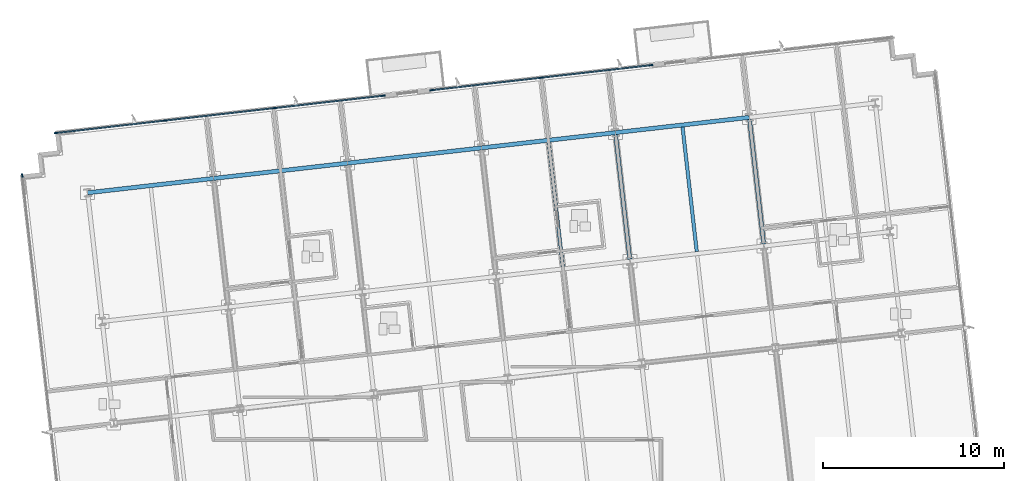
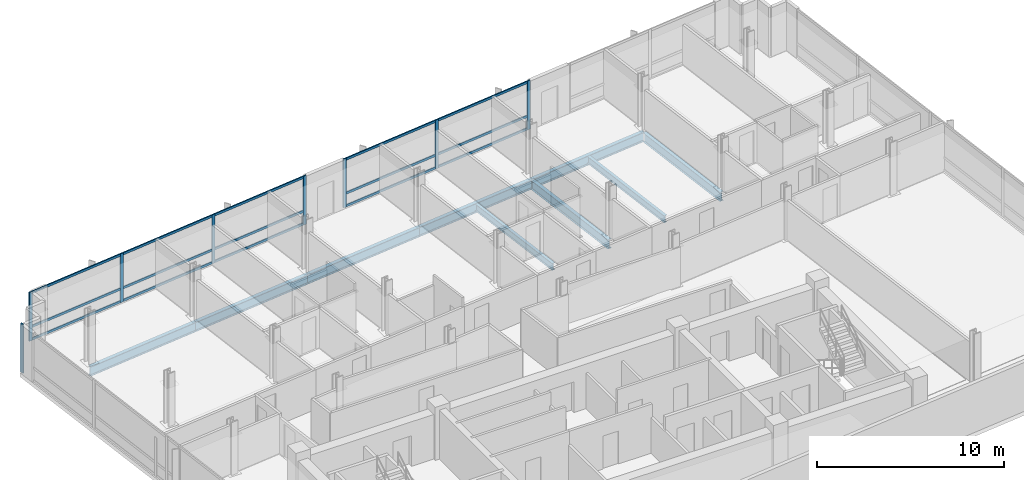
# One storey, part 5 of 16: 23 members, 9 beams, 3 elements without a shape of their own.
"""IFC4 building model written with IfcOpenShell, lengths in metres."""

from ifc_helpers import new_model, si_unit, direction, frame, origin, origin_2d, place, context, subcontext, project, spatial, rectangle, i_section, extrude, material, material_profile, profile_set, type_object, element, aggregate, save


model = new_model("IFC4")

# Units and contexts
model_context = context("Model", 3, precision=1e-05, world=origin(), true_north=direction((0.0, 1.0)))
body_context = subcontext(model_context, "Body", "Model", "MODEL_VIEW")
ifc_project = project(units=[si_unit("LENGTHUNIT", "METRE"), si_unit("AREAUNIT", "SQUARE_METRE"), si_unit("VOLUMEUNIT", "CUBIC_METRE"), si_unit("PLANEANGLEUNIT", "RADIAN"), si_unit("MASSUNIT", "GRAM", prefix="KILO")], contexts=[model_context])

# Site, building, storey
site_placement = place(None, origin())
site = spatial("IfcSite", under=ifc_project, at=site_placement, CompositionType="ELEMENT")
building_placement = place(site_placement, origin())
building = spatial("IfcBuilding", under=site, at=building_placement, Name="Solmavex Isthmus Hotel", CompositionType="ELEMENT")
storey_placement = place(building_placement, frame((0.0, 0.0, 208.949951171875)))
storey = spatial("IfcBuildingStorey", under=building, at=storey_placement, Name="L56", CompositionType="ELEMENT", Elevation=208.949951171875)

# Beams
ifc_material_1 = material(Name="Steel ASTM A992 Grade 50", Category="steel")
ifc_material_profile_1 = material_profile(ifc_material_1, i_section(OverallWidth=0.1904296875, OverallDepth=0.456787109375, WebThickness=0.009033203125, FlangeThickness=0.014404296875, FilletRadius=0.0126953125, at=origin_2d()), Name="W18X50")
ifc_profile_set_1 = profile_set([ifc_material_profile_1], Name="Steel ASTM A992 Grade 50")
beam_type_1 = type_object("IfcBeamType", Name="BM-BJ-W18X50", PredefinedType="JOIST", material=ifc_profile_set_1)
for number, where, z_axis, x_axis, name in (
    (1, (7.009033203125, 10.1328125, -0.48828125), (-0.113202453846, 0.993571942258, 0.0), (-0.993571942258, -0.113202453846, 0.0), "Secondary Floor Joist L56-J14"),
    (2, (14.4072265625, 10.975830078125, -0.48828125), (-0.113202453846, 0.993571942258, 0.0), (-0.993571942258, -0.113202453846, 0.0), "Secondary Floor Joist L56-J18"),
):
    element("IfcBeam", number, at=place(storey_placement, frame(where, z_axis=z_axis, x_axis=x_axis)), inside=storey, type_object=beam_type_1, Name=name, PredefinedType="JOIST", context=body_context, shape_type="SweptSolid", body=[
        extrude(i_section(OverallWidth=0.1904296875, OverallDepth=0.456787109375, WebThickness=0.009033203125, FlangeThickness=0.014404296875, FilletRadius=0.0126953125, at=origin_2d()), origin(), (0.0, 0.0, 1.0), 6.9228515625),
    ])
ifc_material_profile_2 = material_profile(ifc_material_1, i_section(OverallWidth=0.227783203125, OverallDepth=0.602783203125, WebThickness=0.010498046875, FlangeThickness=0.014892578125, FilletRadius=0.01513671875, at=origin_2d()), Name="W24X68")
ifc_profile_set_2 = profile_set([ifc_material_profile_2], Name="Steel ASTM A992 Grade 50")
beam_type_2 = type_object("IfcBeamType", Name="BM-BM-W24X68", PredefinedType="BEAM", material=ifc_profile_set_2)
for number, where, z_axis, x_axis, name in (
    (3, (10.708251953125, 10.55419921875, -0.561279296875), (-0.113202453846, 0.993571942258, 0.0), (-0.993571942258, -0.113202453846, 0.0), "Floor Beam L56-VG39"),
    (4, (18.106201171875, 11.397216796875, -0.561279296875), (-0.113202453846, 0.993571942258, 0.0), (-0.993571942258, -0.113202453846, 0.0), "Floor Beam L56-VG42"),
):
    element("IfcBeam", number, at=place(storey_placement, frame(where, z_axis=z_axis, x_axis=x_axis)), inside=storey, type_object=beam_type_2, Name=name, PredefinedType="BEAM", context=body_context, shape_type="SweptSolid", body=[
        extrude(i_section(OverallWidth=0.227783203125, OverallDepth=0.602783203125, WebThickness=0.010498046875, FlangeThickness=0.014892578125, FilletRadius=0.01513671875, at=origin_2d()), origin(), (0.0, 0.0, 1.0), 6.9228515625),
    ])
ifc_material_profile_3 = material_profile(ifc_material_1, i_section(OverallWidth=0.230224609375, OverallDepth=0.617431640625, WebThickness=0.01318359375, FlangeThickness=0.022216796875, FilletRadius=0.01513671875, at=origin_2d()), Name="W24X94")
ifc_profile_set_3 = profile_set([ifc_material_profile_3], Name="Steel ASTM A992 Grade 50")
beam_type_3 = type_object("IfcBeamType", Name="BM-SP-W24X94", PredefinedType="SPANDREL", material=ifc_profile_set_3)
beam_1_placement = place(storey_placement, frame((-19.245849609375, 14.22509765625, -0.568603515625), z_axis=(0.99357359356, 0.113187959519, 0.0), x_axis=(-0.113187959519, 0.99357359356, 0.0)))
element("IfcBeam", 5, at=beam_1_placement, inside=storey, type_object=beam_type_3, Name="Floor Girder L56-UG18", PredefinedType="SPANDREL", context=body_context, shape_type="SweptSolid", body=[
    extrude(i_section(OverallWidth=0.230224609375, OverallDepth=0.617431640625, WebThickness=0.01318359375, FlangeThickness=0.022216796875, FilletRadius=0.01513671875, at=origin_2d()), origin(), (0.0, 0.0, 1.0), 7.0078125),
])
beam_2_placement = place(storey_placement, frame((-12.282958984375, 15.018310546875, -0.568603515625), z_axis=(0.9935703463, 0.113216460607, 0.0), x_axis=(-0.113216460607, 0.9935703463, 0.0)))
element("IfcBeam", 6, at=beam_2_placement, inside=storey, type_object=beam_type_3, Name="Floor Girder L56-UG19", PredefinedType="SPANDREL", context=body_context, shape_type="SweptSolid", body=[
    extrude(i_section(OverallWidth=0.230224609375, OverallDepth=0.617431640625, WebThickness=0.01318359375, FlangeThickness=0.022216796875, FilletRadius=0.01513671875, at=origin_2d()), origin(), (0.0, 0.0, 1.0), 7.446044921875),
])
beam_3_placement = place(storey_placement, frame((-4.884765625, 15.861328125, -0.568603515625), z_axis=(0.993573613989, 0.113187780196, 0.0), x_axis=(-0.113187780196, 0.993573613989, 0.0)))
element("IfcBeam", 7, at=beam_3_placement, inside=storey, type_object=beam_type_3, Name="Floor Girder L56-UG20", PredefinedType="SPANDREL", context=body_context, shape_type="SweptSolid", body=[
    extrude(i_section(OverallWidth=0.230224609375, OverallDepth=0.617431640625, WebThickness=0.01318359375, FlangeThickness=0.022216796875, FilletRadius=0.01513671875, at=origin_2d()), origin(), (0.0, 0.0, 1.0), 7.44580078125),
])
for number, where, z_axis, x_axis, name in (
    (8, (2.51318359375, 16.7041015625, -0.568603515625), (0.9935703463, 0.113216460607, 0.0), (-0.113216460607, 0.9935703463, 0.0), "Floor Girder L56-UG21"),
    (9, (9.911376953125, 17.547119140625, -0.568603515625), (0.9935703463, 0.113216460607, 0.0), (-0.113216460607, 0.9935703463, 0.0), "Floor Girder L56-UG22"),
):
    element("IfcBeam", number, at=place(storey_placement, frame(where, z_axis=z_axis, x_axis=x_axis)), inside=storey, type_object=beam_type_3, Name=name, PredefinedType="SPANDREL", context=body_context, shape_type="SweptSolid", body=[
        extrude(i_section(OverallWidth=0.230224609375, OverallDepth=0.617431640625, WebThickness=0.01318359375, FlangeThickness=0.022216796875, FilletRadius=0.01513671875, at=origin_2d()), origin(), (0.0, 0.0, 1.0), 7.446044921875),
    ])

# Curtain wall, members
ifc_material_2 = material(Name="Aluminium alloy 6063-T6", Category="aluminium")
curtain_wall_type = type_object("IfcCurtainWallType", Name="CW-SYS-04", PredefinedType="NOTDEFINED", material=ifc_material_2)
curtain_wall_1_placement = place(storey_placement, origin())
curtain_wall_1 = element("IfcCurtainWall", 10, at=curtain_wall_1_placement, inside=storey, type_object=curtain_wall_type, Name="Stick Curtain Wall CWL-L56-N1", PredefinedType="NOTDEFINED")
ifc_material_profile_4 = material_profile(ifc_material_2, rectangle(XDim=0.074951171875, YDim=0.199951171875, at=origin_2d()), Name="CWM-75X200")
ifc_profile_set_4 = profile_set([ifc_material_profile_4], Name="Aluminium alloy 6063-T6")
member_type_1 = type_object("IfcMemberType", Name="CW-SYS-04-MUL", PredefinedType="MULLION", material=ifc_profile_set_4)
member_1_placement = place(storey_placement, frame((-20.99365234375, 17.528564453125, 0.0), z_axis=(0.0, 0.0, 1.0), x_axis=(-0.113202953513, 0.993571885329, 0.0)))
member_1 = element("IfcMember", 11, at=member_1_placement, type_object=member_type_1, Name="CW-04 mullion 1", PredefinedType="MULLION", context=body_context, shape_type="SweptSolid", body=[
    extrude(rectangle(XDim=0.074951171875, YDim=0.199951171875, at=origin_2d()), origin(), (0.0, 0.0, 1.0), 3.18994140625),
])
member_2_placement = place(storey_placement, frame((-14.977783203125, 18.2138671875, 0.0), z_axis=(0.0, 0.0, 1.0), x_axis=(-0.113202953513, 0.993571885329, 0.0)))
member_2 = element("IfcMember", 12, at=member_2_placement, type_object=member_type_1, Name="CW-04 mullion 2", PredefinedType="MULLION", context=body_context, shape_type="SweptSolid", body=[
    extrude(rectangle(XDim=0.074951171875, YDim=0.199951171875, at=origin_2d()), origin(), (0.0, 0.0, 1.0), 3.18994140625),
])
member_3_placement = place(storey_placement, frame((-8.924560546875, 18.903564453125, 0.0), z_axis=(0.0, 0.0, 1.0), x_axis=(-0.113202953513, 0.993571885329, 0.0)))
member_3 = element("IfcMember", 13, at=member_3_placement, type_object=member_type_1, Name="CW-04 mullion 3", PredefinedType="MULLION", context=body_context, shape_type="SweptSolid", body=[
    extrude(rectangle(XDim=0.074951171875, YDim=0.199951171875, at=origin_2d()), origin(), (0.0, 0.0, 1.0), 3.18994140625),
])
member_4_placement = place(storey_placement, frame((-2.90869140625, 19.5888671875, 0.0), z_axis=(0.0, 0.0, 1.0), x_axis=(-0.113202953513, 0.993571885329, 0.0)))
member_4 = element("IfcMember", 14, at=member_4_placement, type_object=member_type_1, Name="CW-04 mullion 4", PredefinedType="MULLION", context=body_context, shape_type="SweptSolid", body=[
    extrude(rectangle(XDim=0.074951171875, YDim=0.199951171875, at=origin_2d()), origin(), (0.0, 0.0, 1.0), 3.18994140625),
])

curtain_wall_2_placement = place(storey_placement, origin())
curtain_wall_2 = element("IfcCurtainWall", 15, at=curtain_wall_2_placement, inside=storey, type_object=curtain_wall_type, Name="Stick Curtain Wall CWL-L56-N2", PredefinedType="NOTDEFINED")
member_5_placement = place(storey_placement, frame((-0.250732421875, 19.891845703125, 0.0), z_axis=(0.0, 0.0, 1.0), x_axis=(-0.113202856801, 0.993571896348, 0.0)))
member_5 = element("IfcMember", 16, at=member_5_placement, type_object=member_type_1, Name="CW-04 mullion 1", PredefinedType="MULLION", context=body_context, shape_type="SweptSolid", body=[
    extrude(rectangle(XDim=0.074951171875, YDim=0.199951171875, at=origin_2d()), origin(), (0.0, 0.0, 1.0), 3.18994140625),
])
member_6_placement = place(storey_placement, frame((5.818359375, 20.583251953125, 0.0), z_axis=(0.0, 0.0, 1.0), x_axis=(-0.113202856801, 0.993571896348, 0.0)))
member_6 = element("IfcMember", 17, at=member_6_placement, type_object=member_type_1, Name="CW-04 mullion 2", PredefinedType="MULLION", context=body_context, shape_type="SweptSolid", body=[
    extrude(rectangle(XDim=0.074951171875, YDim=0.199951171875, at=origin_2d()), origin(), (0.0, 0.0, 1.0), 3.18994140625),
])
member_7_placement = place(storey_placement, frame((11.8876953125, 21.27490234375, 0.0), z_axis=(0.0, 0.0, 1.0), x_axis=(-0.113202856801, 0.993571896348, 0.0)))
member_7 = element("IfcMember", 18, at=member_7_placement, type_object=member_type_1, Name="CW-04 mullion 3", PredefinedType="MULLION", context=body_context, shape_type="SweptSolid", body=[
    extrude(rectangle(XDim=0.074951171875, YDim=0.199951171875, at=origin_2d()), origin(), (0.0, 0.0, 1.0), 3.18994140625),
])

# Curtain wall, member
curtain_wall_3_placement = place(storey_placement, origin())
curtain_wall_3 = element("IfcCurtainWall", 19, at=curtain_wall_3_placement, inside=storey, type_object=curtain_wall_type, Name="Stick Curtain Wall CWL-L56-W1", PredefinedType="NOTDEFINED")
member_8_placement = place(storey_placement, frame((-22.85791015625, 15.184814453125, 0.0), z_axis=(0.0, 0.0, 1.0), x_axis=(-0.993571836648, -0.11320338078, 0.0)))
member_8 = element("IfcMember", 20, at=member_8_placement, type_object=member_type_1, Name="CW-04 mullion 6", PredefinedType="MULLION", context=body_context, shape_type="SweptSolid", body=[
    extrude(rectangle(XDim=0.074951171875, YDim=0.199951171875, at=origin_2d()), origin(), (0.0, 0.0, 1.0), 3.18994140625),
])
aggregate(curtain_wall_3, [member_8])

# Member
ifc_material_profile_5 = material_profile(ifc_material_2, rectangle(XDim=0.074951171875, YDim=0.14990234375, at=origin_2d()), Name="CWT-75X150")
ifc_profile_set_5 = profile_set([ifc_material_profile_5], Name="Aluminium alloy 6063-T6")
member_type_2 = type_object("IfcMemberType", Name="CW-SYS-04-TRN", PredefinedType="USERDEFINED", material=ifc_profile_set_5)
member_9_placement = place(storey_placement, frame((-20.956298828125, 17.53271484375, 0.074951171875), z_axis=(0.993570647741, 0.113213815179, 0.0), x_axis=(-0.113213815179, 0.993570647741, 0.0)))
member_9 = element("IfcMember", 21, at=member_9_placement, type_object=member_type_2, Name="CW-04 transom 1.1", ObjectType="TRANSOM", PredefinedType="USERDEFINED", context=body_context, shape_type="SweptSolid", body=[
    extrude(rectangle(XDim=0.074951171875, YDim=0.14990234375, at=origin_2d()), origin(), (0.0, 0.0, 1.0), 5.979736328125),
])

member_10_placement = place(storey_placement, frame((-20.956298828125, 17.53271484375, 0.900146484375), z_axis=(0.993570647741, 0.113213815179, 0.0), x_axis=(-0.113213815179, 0.993570647741, 0.0)))
member_10 = element("IfcMember", 22, at=member_10_placement, type_object=member_type_2, Name="CW-04 transom 1.2", ObjectType="TRANSOM", PredefinedType="USERDEFINED", context=body_context, shape_type="SweptSolid", body=[
    extrude(rectangle(XDim=0.074951171875, YDim=0.14990234375, at=origin_2d()), origin(), (0.0, 0.0, 1.0), 5.979736328125),
])

member_11_placement = place(storey_placement, frame((-20.956298828125, 17.53271484375, 3.114990234375), z_axis=(0.993570647741, 0.113213815179, 0.0), x_axis=(-0.113213815179, 0.993570647741, 0.0)))
member_11 = element("IfcMember", 23, at=member_11_placement, type_object=member_type_2, Name="CW-04 transom 1.3", ObjectType="TRANSOM", PredefinedType="USERDEFINED", context=body_context, shape_type="SweptSolid", body=[
    extrude(rectangle(XDim=0.074951171875, YDim=0.14990234375, at=origin_2d()), origin(), (0.0, 0.0, 1.0), 5.979736328125),
])

member_12_placement = place(storey_placement, frame((-14.9404296875, 18.218017578125, 0.074951171875), z_axis=(0.993567543212, 0.113241057379, 0.0), x_axis=(-0.113241057379, 0.993567543212, 0.0)))
member_12 = element("IfcMember", 24, at=member_12_placement, type_object=member_type_2, Name="CW-04 transom 2.1", ObjectType="TRANSOM", PredefinedType="USERDEFINED", context=body_context, shape_type="SweptSolid", body=[
    extrude(rectangle(XDim=0.074951171875, YDim=0.14990234375, at=origin_2d()), origin(), (0.0, 0.0, 1.0), 6.017333984375),
])

member_13_placement = place(storey_placement, frame((-14.9404296875, 18.218017578125, 0.900146484375), z_axis=(0.993567543212, 0.113241057379, 0.0), x_axis=(-0.113241057379, 0.993567543212, 0.0)))
member_13 = element("IfcMember", 25, at=member_13_placement, type_object=member_type_2, Name="CW-04 transom 2.2", ObjectType="TRANSOM", PredefinedType="USERDEFINED", context=body_context, shape_type="SweptSolid", body=[
    extrude(rectangle(XDim=0.074951171875, YDim=0.14990234375, at=origin_2d()), origin(), (0.0, 0.0, 1.0), 6.017333984375),
])

member_14_placement = place(storey_placement, frame((-14.9404296875, 18.218017578125, 3.114990234375), z_axis=(0.993567543212, 0.113241057379, 0.0), x_axis=(-0.113241057379, 0.993567543212, 0.0)))
member_14 = element("IfcMember", 26, at=member_14_placement, type_object=member_type_2, Name="CW-04 transom 2.3", ObjectType="TRANSOM", PredefinedType="USERDEFINED", context=body_context, shape_type="SweptSolid", body=[
    extrude(rectangle(XDim=0.074951171875, YDim=0.14990234375, at=origin_2d()), origin(), (0.0, 0.0, 1.0), 6.017333984375),
])

member_15_placement = place(storey_placement, frame((-8.88720703125, 18.90771484375, 0.074951171875), z_axis=(0.993570647741, 0.113213815179, 0.0), x_axis=(-0.113213815179, 0.993570647741, 0.0)))
member_15 = element("IfcMember", 27, at=member_15_placement, type_object=member_type_2, Name="CW-04 transom 3.1", ObjectType="TRANSOM", PredefinedType="USERDEFINED", context=body_context, shape_type="SweptSolid", body=[
    extrude(rectangle(XDim=0.074951171875, YDim=0.14990234375, at=origin_2d()), origin(), (0.0, 0.0, 1.0), 5.979736328125),
])

member_16_placement = place(storey_placement, frame((-8.88720703125, 18.90771484375, 0.900146484375), z_axis=(0.993570647741, 0.113213815179, 0.0), x_axis=(-0.113213815179, 0.993570647741, 0.0)))
member_16 = element("IfcMember", 28, at=member_16_placement, type_object=member_type_2, Name="CW-04 transom 3.2", ObjectType="TRANSOM", PredefinedType="USERDEFINED", context=body_context, shape_type="SweptSolid", body=[
    extrude(rectangle(XDim=0.074951171875, YDim=0.14990234375, at=origin_2d()), origin(), (0.0, 0.0, 1.0), 5.979736328125),
])

member_17_placement = place(storey_placement, frame((-8.88720703125, 18.90771484375, 3.114990234375), z_axis=(0.993570647741, 0.113213815179, 0.0), x_axis=(-0.113213815179, 0.993570647741, 0.0)))
member_17 = element("IfcMember", 29, at=member_17_placement, type_object=member_type_2, Name="CW-04 transom 3.3", ObjectType="TRANSOM", PredefinedType="USERDEFINED", context=body_context, shape_type="SweptSolid", body=[
    extrude(rectangle(XDim=0.074951171875, YDim=0.14990234375, at=origin_2d()), origin(), (0.0, 0.0, 1.0), 5.979736328125),
])

aggregate(curtain_wall_1, [member_1, member_2, member_3, member_4, member_9, member_10, member_11, member_12, member_13, member_14, member_15, member_16, member_17])

member_18_placement = place(storey_placement, frame((-0.213623046875, 19.89599609375, 0.074951171875), z_axis=(0.993570439577, 0.113215642025, 0.0), x_axis=(-0.113215642025, 0.993570439577, 0.0)))
member_18 = element("IfcMember", 30, at=member_18_placement, type_object=member_type_2, Name="CW-04 transom 1.1", ObjectType="TRANSOM", PredefinedType="USERDEFINED", context=body_context, shape_type="SweptSolid", body=[
    extrude(rectangle(XDim=0.074951171875, YDim=0.14990234375, at=origin_2d()), origin(), (0.0, 0.0, 1.0), 6.03369140625),
])

member_19_placement = place(storey_placement, frame((-0.213623046875, 19.89599609375, 0.900146484375), z_axis=(0.993570439577, 0.113215642025, 0.0), x_axis=(-0.113215642025, 0.993570439577, 0.0)))
member_19 = element("IfcMember", 31, at=member_19_placement, type_object=member_type_2, Name="CW-04 transom 1.2", ObjectType="TRANSOM", PredefinedType="USERDEFINED", context=body_context, shape_type="SweptSolid", body=[
    extrude(rectangle(XDim=0.074951171875, YDim=0.14990234375, at=origin_2d()), origin(), (0.0, 0.0, 1.0), 6.03369140625),
])

member_20_placement = place(storey_placement, frame((-0.213623046875, 19.89599609375, 3.114990234375), z_axis=(0.993570439577, 0.113215642025, 0.0), x_axis=(-0.113215642025, 0.993570439577, 0.0)))
member_20 = element("IfcMember", 32, at=member_20_placement, type_object=member_type_2, Name="CW-04 transom 1.3", ObjectType="TRANSOM", PredefinedType="USERDEFINED", context=body_context, shape_type="SweptSolid", body=[
    extrude(rectangle(XDim=0.074951171875, YDim=0.14990234375, at=origin_2d()), origin(), (0.0, 0.0, 1.0), 6.03369140625),
])

member_21_placement = place(storey_placement, frame((5.855712890625, 20.587646484375, 0.074951171875), z_axis=(0.993574472077, 0.113180247552, 0.0), x_axis=(-0.113180247552, 0.993574472077, 0.0)))
member_21 = element("IfcMember", 33, at=member_21_placement, type_object=member_type_2, Name="CW-04 transom 2.1", ObjectType="TRANSOM", PredefinedType="USERDEFINED", context=body_context, shape_type="SweptSolid", body=[
    extrude(rectangle(XDim=0.074951171875, YDim=0.14990234375, at=origin_2d()), origin(), (0.0, 0.0, 1.0), 6.033447265625),
])

member_22_placement = place(storey_placement, frame((5.855712890625, 20.587646484375, 0.900146484375), z_axis=(0.993574472077, 0.113180247552, 0.0), x_axis=(-0.113180247552, 0.993574472077, 0.0)))
member_22 = element("IfcMember", 34, at=member_22_placement, type_object=member_type_2, Name="CW-04 transom 2.2", ObjectType="TRANSOM", PredefinedType="USERDEFINED", context=body_context, shape_type="SweptSolid", body=[
    extrude(rectangle(XDim=0.074951171875, YDim=0.14990234375, at=origin_2d()), origin(), (0.0, 0.0, 1.0), 6.033447265625),
])

member_23_placement = place(storey_placement, frame((5.855712890625, 20.587646484375, 3.114990234375), z_axis=(0.993574472077, 0.113180247552, 0.0), x_axis=(-0.113180247552, 0.993574472077, 0.0)))
member_23 = element("IfcMember", 35, at=member_23_placement, type_object=member_type_2, Name="CW-04 transom 2.3", ObjectType="TRANSOM", PredefinedType="USERDEFINED", context=body_context, shape_type="SweptSolid", body=[
    extrude(rectangle(XDim=0.074951171875, YDim=0.14990234375, at=origin_2d()), origin(), (0.0, 0.0, 1.0), 6.033447265625),
])

aggregate(curtain_wall_2, [member_5, member_6, member_7, member_18, member_19, member_20, member_21, member_22, member_23])

save(model, "model.ifc")
